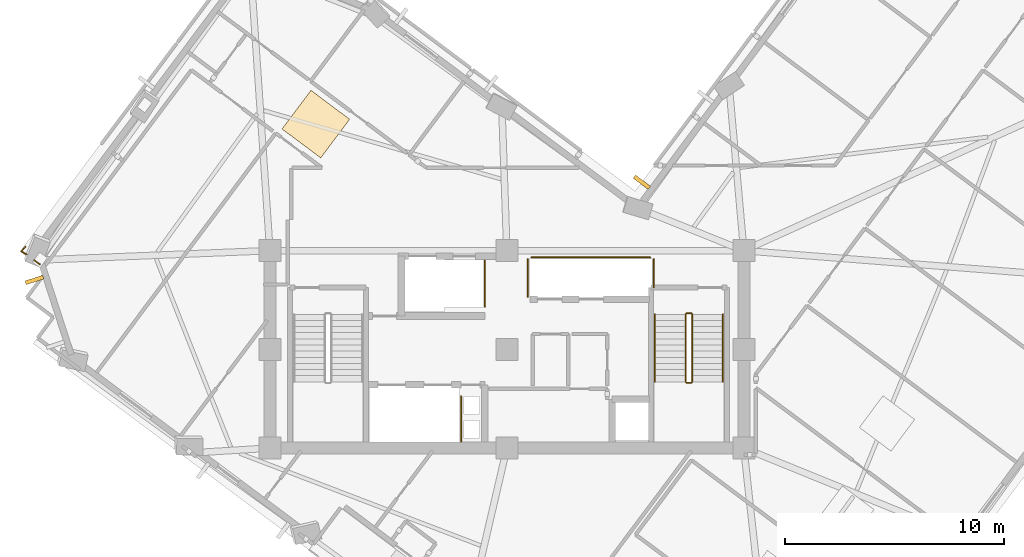
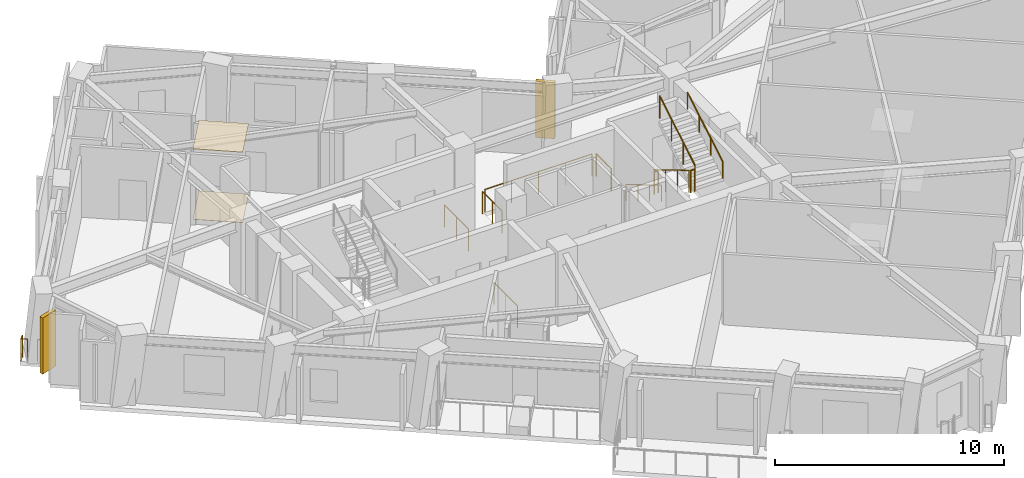
# One storey, part 9 of 12: 13 railings, 2 coverings, 2 shading devices.
"""IFC4 building model written with IfcOpenShell, lengths in metres."""

from ifc_helpers import new_model, si_unit, direction, frame, origin, origin_2d, place, context, subcontext, project, spatial, rectangle, circle, extrude, material, layer, layer_set, type_object, element, save


model = new_model("IFC4")

# Units and contexts
model_context = context("Model", 3, precision=1e-05, world=origin(), true_north=direction((0.0, 1.0)))
body_context = subcontext(model_context, "Body", "Model", "MODEL_VIEW")
ifc_project = project(units=[si_unit("LENGTHUNIT", "METRE"), si_unit("AREAUNIT", "SQUARE_METRE"), si_unit("VOLUMEUNIT", "CUBIC_METRE"), si_unit("PLANEANGLEUNIT", "RADIAN"), si_unit("MASSUNIT", "GRAM", prefix="KILO")], contexts=[model_context])

# Site, building, storey
site_placement = place(None, origin())
site = spatial("IfcSite", under=ifc_project, at=site_placement, CompositionType="ELEMENT")
building_placement = place(site_placement, origin())
building = spatial("IfcBuilding", under=site, at=building_placement, Name="Gaonmaruhae Medical Tower", CompositionType="ELEMENT")
storey_placement = place(building_placement, frame((0.0, 0.0, 251.199951171875)))
storey = spatial("IfcBuildingStorey", under=building, at=storey_placement, Name="L60", CompositionType="ELEMENT", Elevation=251.199951171875)

# Coverings
ifc_material_1 = material(Name="Acoustic mineral ceiling tile", Category="finish")
ifc_layer_1 = layer(ifc_material_1, 0.02490234375)
ifc_layer_set_1 = layer_set([ifc_layer_1], Name="Acoustic mineral ceiling tile")
covering_type_1 = type_object("IfcCoveringType", Name="CLG-01 Antimicrobial Acoustic Mineral Ceiling", PredefinedType="CEILING", material=ifc_layer_set_1)
covering_1_placement = place(storey_placement, frame((16.093994140625, 22.56640625, 3.755126953125), z_axis=(0.0, 0.0, 1.0), x_axis=(0.599023598516, 0.800731370949, 0.0)))
element("IfcCovering", 1, at=covering_1_placement, inside=storey, type_object=covering_type_1, Name="L60 Clinical Corridor Acoustic Ceiling", PredefinedType="CEILING", context=body_context, shape_type="SweptSolid", body=[
    extrude(rectangle(XDim=2.199951171875, YDim=2.199951171875, at=origin_2d()), origin(), (0.0, 0.0, 1.0), 0.02490234375),
])
ifc_material_2 = material(Name="Seamless clinical vinyl flooring", Category="finish")
ifc_layer_2 = layer(ifc_material_2, 0.014892578125)
ifc_layer_set_2 = layer_set([ifc_layer_2], Name="Seamless clinical vinyl flooring")
covering_type_2 = type_object("IfcCoveringType", Name="FLR-01 Seamless Clinical Antistatic Vinyl Flooring", PredefinedType="FLOORING", material=ifc_layer_set_2)
covering_2_placement = place(storey_placement, frame((16.093994140625, 22.56640625, 0.00048828125), z_axis=(0.0, 0.0, 1.0), x_axis=(0.599023598516, 0.800731370949, 0.0)))
element("IfcCovering", 2, at=covering_2_placement, inside=storey, type_object=covering_type_2, Name="L60 Clinical Corridor Vinyl Flooring", PredefinedType="FLOORING", context=body_context, shape_type="SweptSolid", body=[
    extrude(rectangle(XDim=2.199951171875, YDim=2.199951171875, at=origin_2d()), origin(), (0.0, 0.0, 1.0), 0.014892578125),
])

# Railings
ifc_material_3 = material(Name="Stainless steel 316L and laminated safety glass", Category="steel")
ifc_layer_3 = layer(ifc_material_3, 0.080078125)
ifc_layer_set_3 = layer_set([ifc_layer_3], Name="Stainless steel 316L and laminated safety glass")
railing_type_1 = type_object("IfcRailingType", Name="GD-120 Outdoor Terrace Safety Glass & Steel Balustrade", PredefinedType="BALUSTRADE", material=ifc_layer_set_3)
railing_1_placement = place(storey_placement, frame((3.5166015625, 16.17138671875, 0.0)))
element("IfcRailing", 3, at=railing_1_placement, inside=storey, type_object=railing_type_1, Name="L60 Perimeter Slab Edge Safety Balustrade 01", PredefinedType="BALUSTRADE", context=body_context, shape_type="SweptSolid", body=[
    extrude(circle(Radius=0.02392578125, at=origin_2d()), frame((0.0, 0.0, 1.17578125), z_axis=(-0.801074784018, 0.598564274252, 0.0), x_axis=(-0.598564274252, -0.801074784018, 0.0)), (0.0, 0.0, 1.0), 0.32666015625),
    extrude(circle(Radius=0.02099609375, at=origin_2d()), origin(), (0.0, 0.0, 1.0), 1.15185546875),
    extrude(circle(Radius=0.02099609375, at=origin_2d()), frame((-0.26171875, 0.195556640625, 0.0)), (0.0, 0.0, 1.0), 1.15185546875),
])
railing_2_placement = place(storey_placement, frame((2.907958984375, 16.626708984375, 0.0)))
element("IfcRailing", 4, at=railing_2_placement, inside=storey, type_object=railing_type_1, Name="L60 Perimeter Corner Safety Balustrade 16", PredefinedType="BALUSTRADE", context=body_context, shape_type="SweptSolid", body=[
    extrude(circle(Radius=0.02392578125, at=origin_2d()), frame((0.0, 0.0, 1.17578125), z_axis=(-0.868033789806, 0.496505125609, 0.0), x_axis=(-0.496505125609, -0.868033789806, 0.0)), (0.0, 0.0, 1.0), 0.287109375),
    extrude(circle(Radius=0.02392578125, at=origin_2d()), frame((-0.249267578125, 0.142578125, 1.17578125), z_axis=(0.692071539944, 0.72182891574, 0.0), x_axis=(-0.72182891574, 0.692071539944, 0.0)), (0.0, 0.0, 1.0), 0.287109375),
    extrude(circle(Radius=0.02099609375, at=origin_2d()), origin(), (0.0, 0.0, 1.0), 1.15185546875),
    extrude(circle(Radius=0.02099609375, at=origin_2d()), frame((-0.249267578125, 0.142578125, 0.0)), (0.0, 0.0, 1.0), 1.15185546875),
    extrude(circle(Radius=0.02099609375, at=origin_2d()), frame((-0.050537109375, 0.349853515625, 0.0)), (0.0, 0.0, 1.0), 1.15185546875),
])
ifc_material_4 = material(Name="Stainless steel 304 handrail", Category="steel")
railing_type_2 = type_object("IfcRailingType", Name="HR-092 Continuous Stainless Steel Stair Handrail", PredefinedType="HANDRAIL", material=ifc_material_4)
railing_3_placement = place(storey_placement, frame((31.550048828125, 13.89990234375, 0.166748046875)))
element("IfcRailing", 5, at=railing_3_placement, inside=storey, type_object=railing_type_2, Name="L60 ST-02 stair handrail 1", PredefinedType="HANDRAIL", context=body_context, shape_type="SweptSolid", body=[
    extrude(circle(Radius=0.02392578125, at=origin_2d()), frame((0.0, 0.0, 0.8759765625), z_axis=(0.0, -0.859290745958, 0.51148745235), x_axis=(1.0, 0.0, 0.0)), (0.0, 0.0, 1.0), 3.584228515625),
    extrude(circle(Radius=0.02099609375, at=origin_2d()), origin(), (0.0, 0.0, 1.0), 0.851806640625),
    extrude(circle(Radius=0.02099609375, at=origin_2d()), frame((0.0, -1.026611328125, 0.611083984375)), (0.0, 0.0, 1.0), 0.851806640625),
    extrude(circle(Radius=0.02099609375, at=origin_2d()), frame((0.0, -2.05322265625, 1.22216796875)), (0.0, 0.0, 1.0), 0.851806640625),
    extrude(circle(Radius=0.02099609375, at=origin_2d()), frame((0.0, -3.079833984375, 1.833251953125)), (0.0, 0.0, 1.0), 0.851806640625),
])
railing_4_placement = place(storey_placement, frame((34.64990234375, 10.820068359375, 2.166748046875)))
element("IfcRailing", 6, at=railing_4_placement, inside=storey, type_object=railing_type_2, Name="L60 ST-02 stair handrail 2", PredefinedType="HANDRAIL", context=body_context, shape_type="SweptSolid", body=[
    extrude(circle(Radius=0.02392578125, at=origin_2d()), frame((0.0, 0.0, 0.8759765625), z_axis=(0.0, 0.859290745958, 0.51148745235), x_axis=(-1.0, 0.0, 0.0)), (0.0, 0.0, 1.0), 3.584228515625),
    extrude(circle(Radius=0.02099609375, at=origin_2d()), origin(), (0.0, 0.0, 1.0), 0.851806640625),
    extrude(circle(Radius=0.02099609375, at=origin_2d()), frame((0.0, 1.026611328125, 0.611083984375)), (0.0, 0.0, 1.0), 0.851806640625),
    extrude(circle(Radius=0.02099609375, at=origin_2d()), frame((0.0, 2.05322265625, 1.22216796875)), (0.0, 0.0, 1.0), 0.851806640625),
    extrude(circle(Radius=0.02099609375, at=origin_2d()), frame((0.0, 3.079833984375, 1.833251953125)), (0.0, 0.0, 1.0), 0.851806640625),
])

# Shading devices
ifc_material_5 = material(Name="Pigmented coral precast concrete C45/55", Category="concrete")
shading_device_type = type_object("IfcShadingDeviceType", Name="SD-FIN1 Tower Vertical Coral Precast Shading Fin", PredefinedType="USERDEFINED", material=ifc_material_5)
for number, where, z_axis, x_axis, name in (
    (7, (30.953369140625, 19.918212890625, 0.132568359375), (0.0, 0.0, 1.0), (0.599023598516, 0.800731370949, 0.0), "L60 Vertical Coral Precast Shading Fin EN02"),
    (8, (3.264404296875, 15.462646484375, 0.132568359375), (0.0, 0.0, 1.0), (-0.308734796628, 0.951148161619, 0.0), "L60 Vertical Coral Precast Shading Fin N03B"),
):
    element("IfcShadingDevice", number, at=place(storey_placement, frame(where, z_axis=z_axis, x_axis=x_axis)), inside=storey, type_object=shading_device_type, Name=name, ObjectType="FIN", PredefinedType="USERDEFINED", context=body_context, shape_type="SweptSolid", body=[
        extrude(rectangle(XDim=0.179931640625, YDim=0.85009765625, at=origin_2d()), origin(), (0.0, 0.0, 1.0), 3.0),
    ])

# Railings
ifc_material_6 = material(Name="Stainless steel 304 balustrade", Category="steel")
railing_type_3 = type_object("IfcRailingType", Name="SG-112 Stair Well & Ramp Void Safety Balustrade", PredefinedType="BALUSTRADE", material=ifc_material_6)
railing_5_placement = place(storey_placement, frame((32.949951171875, 13.89990234375, 0.166748046875)))
element("IfcRailing", 9, at=railing_5_placement, inside=storey, type_object=railing_type_3, Name="L60 ST-02 stair guard 1", PredefinedType="BALUSTRADE", context=body_context, shape_type="SweptSolid", body=[
    extrude(circle(Radius=0.02392578125, at=origin_2d()), frame((0.0, 0.0, 1.17578125), z_axis=(0.0, -0.859290745958, 0.51148745235), x_axis=(1.0, 0.0, 0.0)), (0.0, 0.0, 1.0), 3.584228515625),
    extrude(circle(Radius=0.02099609375, at=origin_2d()), origin(), (0.0, 0.0, 1.0), 1.15185546875),
    extrude(circle(Radius=0.02099609375, at=origin_2d()), frame((0.0, -1.026611328125, 0.611083984375)), (0.0, 0.0, 1.0), 1.15185546875),
    extrude(circle(Radius=0.02099609375, at=origin_2d()), frame((0.0, -2.05322265625, 1.22216796875)), (0.0, 0.0, 1.0), 1.15185546875),
    extrude(circle(Radius=0.02099609375, at=origin_2d()), frame((0.0, -3.079833984375, 1.833251953125)), (0.0, 0.0, 1.0), 1.15185546875),
])
railing_6_placement = place(storey_placement, frame((33.0, 10.77001953125, 2.0)))
element("IfcRailing", 10, at=railing_6_placement, inside=storey, type_object=railing_type_3, Name="L60 ST-02 stair guard 2", PredefinedType="BALUSTRADE", context=body_context, shape_type="SweptSolid", body=[
    extrude(circle(Radius=0.02392578125, at=origin_2d()), frame((0.0, 0.0, 1.17578125), z_axis=(1.0, 0.0, 0.0), x_axis=(0.0, 1.0, 0.0)), (0.0, 0.0, 1.0), 0.199951171875),
    extrude(circle(Radius=0.02099609375, at=origin_2d()), origin(), (0.0, 0.0, 1.0), 1.15185546875),
    extrude(circle(Radius=0.02099609375, at=origin_2d()), frame((0.199951171875, 0.0, 0.0)), (0.0, 0.0, 1.0), 1.15185546875),
])
railing_7_placement = place(storey_placement, frame((33.25, 10.820068359375, 2.166748046875)))
element("IfcRailing", 11, at=railing_7_placement, inside=storey, type_object=railing_type_3, Name="L60 ST-02 stair guard 3", PredefinedType="BALUSTRADE", context=body_context, shape_type="SweptSolid", body=[
    extrude(circle(Radius=0.02392578125, at=origin_2d()), frame((0.0, 0.0, 1.17578125), z_axis=(0.0, 0.859290745958, 0.51148745235), x_axis=(-1.0, 0.0, 0.0)), (0.0, 0.0, 1.0), 3.584228515625),
    extrude(circle(Radius=0.02099609375, at=origin_2d()), origin(), (0.0, 0.0, 1.0), 1.15185546875),
    extrude(circle(Radius=0.02099609375, at=origin_2d()), frame((0.0, 1.026611328125, 0.611083984375)), (0.0, 0.0, 1.0), 1.15185546875),
    extrude(circle(Radius=0.02099609375, at=origin_2d()), frame((0.0, 2.05322265625, 1.22216796875)), (0.0, 0.0, 1.0), 1.15185546875),
    extrude(circle(Radius=0.02099609375, at=origin_2d()), frame((0.0, 3.079833984375, 1.833251953125)), (0.0, 0.0, 1.0), 1.15185546875),
])
railing_8_placement = place(storey_placement, frame((33.0, 13.949951171875, 0.0)))
element("IfcRailing", 12, at=railing_8_placement, inside=storey, type_object=railing_type_3, Name="L60 ST-02 stair guard 4", PredefinedType="BALUSTRADE", context=body_context, shape_type="SweptSolid", body=[
    extrude(circle(Radius=0.02392578125, at=origin_2d()), frame((0.0, 0.0, 1.17578125), z_axis=(1.0, 0.0, 0.0), x_axis=(0.0, 1.0, 0.0)), (0.0, 0.0, 1.0), 0.199951171875),
    extrude(circle(Radius=0.02099609375, at=origin_2d()), origin(), (0.0, 0.0, 1.0), 1.15185546875),
    extrude(circle(Radius=0.02099609375, at=origin_2d()), frame((0.199951171875, 0.0, 0.0)), (0.0, 0.0, 1.0), 1.15185546875),
])
railing_9_placement = place(storey_placement, frame((22.719970703125, 10.159912109375, 0.0)))
element("IfcRailing", 13, at=railing_9_placement, inside=storey, type_object=railing_type_3, Name="L60 Shaft Edge Safety Guard 19", PredefinedType="BALUSTRADE", context=body_context, shape_type="SweptSolid", body=[
    extrude(circle(Radius=0.02392578125, at=origin_2d()), frame((0.0, 0.0, 1.17578125), z_axis=(0.0, -1.0, 0.0), x_axis=(1.0, 0.0, 0.0)), (0.0, 0.0, 1.0), 2.06494140625),
    extrude(circle(Radius=0.02099609375, at=origin_2d()), origin(), (0.0, 0.0, 1.0), 1.15185546875),
    extrude(circle(Radius=0.02099609375, at=origin_2d()), frame((0.0, -1.032470703125, 0.0)), (0.0, 0.0, 1.0), 1.15185546875),
    extrude(circle(Radius=0.02099609375, at=origin_2d()), frame((0.0, -2.06494140625, 0.0)), (0.0, 0.0, 1.0), 1.15185546875),
])
railing_10_placement = place(storey_placement, frame((23.794921875, 16.35498046875, 0.0)))
element("IfcRailing", 14, at=railing_10_placement, inside=storey, type_object=railing_type_3, Name="L60 Shaft Edge Safety Guard 20", PredefinedType="BALUSTRADE", context=body_context, shape_type="SweptSolid", body=[
    extrude(circle(Radius=0.02392578125, at=origin_2d()), frame((0.0, 0.0, 1.17578125), z_axis=(0.0, -1.0, 0.0), x_axis=(1.0, 0.0, 0.0)), (0.0, 0.0, 1.0), 2.10986328125),
    extrude(circle(Radius=0.02099609375, at=origin_2d()), origin(), (0.0, 0.0, 1.0), 1.15185546875),
    extrude(circle(Radius=0.02099609375, at=origin_2d()), frame((0.0, -1.054931640625, 0.0)), (0.0, 0.0, 1.0), 1.15185546875),
    extrude(circle(Radius=0.02099609375, at=origin_2d()), frame((0.0, -2.10986328125, 0.0)), (0.0, 0.0, 1.0), 1.15185546875),
])
railing_11_placement = place(storey_placement, frame((31.4951171875, 16.405029296875, 0.0)))
element("IfcRailing", 15, at=railing_11_placement, inside=storey, type_object=railing_type_3, Name="L60 Shaft Edge Safety Guard 21", PredefinedType="BALUSTRADE", context=body_context, shape_type="SweptSolid", body=[
    extrude(circle(Radius=0.02392578125, at=origin_2d()), frame((0.0, 0.0, 1.17578125), z_axis=(0.0, -1.0, 0.0), x_axis=(1.0, 0.0, 0.0)), (0.0, 0.0, 1.0), 1.284912109375),
    extrude(circle(Radius=0.02099609375, at=origin_2d()), origin(), (0.0, 0.0, 1.0), 1.15185546875),
    extrude(circle(Radius=0.02099609375, at=origin_2d()), frame((0.0, -1.284912109375, 0.0)), (0.0, 0.0, 1.0), 1.15185546875),
])
railing_12_placement = place(storey_placement, frame((25.7548828125, 14.695068359375, 0.0)))
element("IfcRailing", 16, at=railing_12_placement, inside=storey, type_object=railing_type_3, Name="L60 Shaft Edge Safety Guard 22", PredefinedType="BALUSTRADE", context=body_context, shape_type="SweptSolid", body=[
    extrude(circle(Radius=0.02392578125, at=origin_2d()), frame((0.0, 0.0, 1.17578125), z_axis=(0.0, 1.0, 0.0), x_axis=(-1.0, 0.0, 0.0)), (0.0, 0.0, 1.0), 1.7099609375),
    extrude(circle(Radius=0.02099609375, at=origin_2d()), origin(), (0.0, 0.0, 1.0), 1.15185546875),
    extrude(circle(Radius=0.02099609375, at=origin_2d()), frame((0.0, 0.85498046875, 0.0)), (0.0, 0.0, 1.0), 1.15185546875),
    extrude(circle(Radius=0.02099609375, at=origin_2d()), frame((0.0, 1.7099609375, 0.0)), (0.0, 0.0, 1.0), 1.15185546875),
])
railing_13_placement = place(storey_placement, frame((25.919921875, 16.4951171875, 0.0)))
element("IfcRailing", 17, at=railing_13_placement, inside=storey, type_object=railing_type_3, Name="L60 Shaft Edge Safety Guard 23", PredefinedType="BALUSTRADE", context=body_context, shape_type="SweptSolid", body=[
    extrude(circle(Radius=0.02392578125, at=origin_2d()), frame((0.0, 0.0, 1.17578125), z_axis=(1.0, 0.0, 0.0), x_axis=(0.0, 1.0, 0.0)), (0.0, 0.0, 1.0), 5.41015625),
    extrude(circle(Radius=0.02099609375, at=origin_2d()), origin(), (0.0, 0.0, 1.0), 1.15185546875),
    extrude(circle(Radius=0.02099609375, at=origin_2d()), frame((1.3525390625, 0.0, 0.0)), (0.0, 0.0, 1.0), 1.15185546875),
    extrude(circle(Radius=0.02099609375, at=origin_2d()), frame((2.705078125, 0.0, 0.0)), (0.0, 0.0, 1.0), 1.15185546875),
    extrude(circle(Radius=0.02099609375, at=origin_2d()), frame((4.0576171875, 0.0, 0.0)), (0.0, 0.0, 1.0), 1.15185546875),
    extrude(circle(Radius=0.02099609375, at=origin_2d()), frame((5.41015625, 0.0, 0.0)), (0.0, 0.0, 1.0), 1.15185546875),
])

save(model, "model.ifc")
